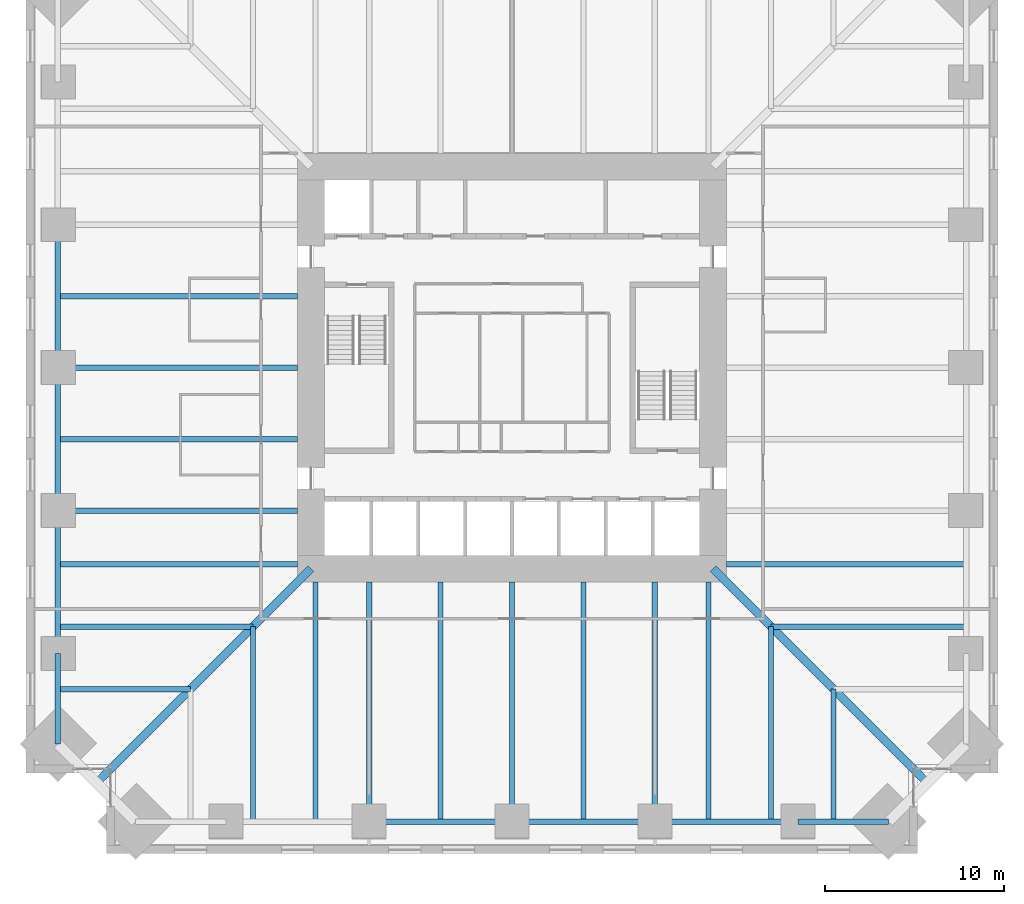
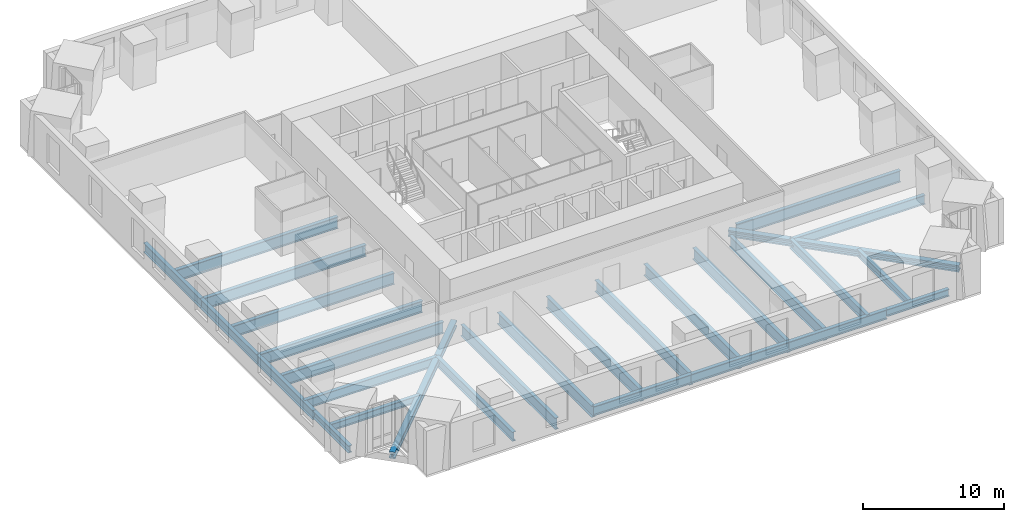
# One storey, part 3 of 16: 29 beams.
"""IFC4 building model written with IfcOpenShell, lengths in metres."""

from ifc_helpers import new_model, si_unit, direction, frame, origin, origin_2d, place, context, subcontext, project, spatial, i_section, extrude, material, material_profile, profile_set, type_object, element, save


model = new_model("IFC4")

# Units and contexts
model_context = context("Model", 3, precision=1e-05, world=origin(), true_north=direction((0.0, 1.0)))
body_context = subcontext(model_context, "Body", "Model", "MODEL_VIEW")
ifc_project = project(units=[si_unit("LENGTHUNIT", "METRE"), si_unit("AREAUNIT", "SQUARE_METRE"), si_unit("VOLUMEUNIT", "CUBIC_METRE"), si_unit("PLANEANGLEUNIT", "RADIAN"), si_unit("MASSUNIT", "GRAM", prefix="KILO")], contexts=[model_context])

# Site, building, storey
site_placement = place(None, origin())
site = spatial("IfcSite", under=ifc_project, at=site_placement, CompositionType="ELEMENT")
building_placement = place(site_placement, origin())
building = spatial("IfcBuilding", under=site, at=building_placement, Name="Peilmerk Tower", CompositionType="ELEMENT")
storey_placement = place(building_placement, frame((0.0, 0.0, 135.800048828125)))
storey = spatial("IfcBuildingStorey", under=building, at=storey_placement, Name="L27", CompositionType="ELEMENT", Elevation=135.800048828125)

# Beams
ifc_material_1 = material(Name="Steel S355", Category="steel")
ifc_material_profile_1 = material_profile(ifc_material_1, i_section(OverallWidth=0.302978515625, OverallDepth=0.81396484375, WebThickness=0.02099609375, FlangeThickness=0.0400390625, at=origin_2d()), Name="HEM 800")
ifc_profile_set_1 = profile_set([ifc_material_profile_1], Name="Steel S355")
beam_type_1 = type_object("IfcBeamType", Name="B15 HEM 800 edge beam", PredefinedType="SPANDREL", material=ifc_profile_set_1)
for number, where, z_axis, x_axis, name in (
    (1, (-8.0, -25.4208984375, -0.5771484375), (1.0, 0.0, 0.0), (0.0, 1.0, 0.0), "Edge beam L27"),
    (2, (0.0, -25.4208984375, -0.5771484375), (1.0, 0.0, 0.0), (0.0, 1.0, 0.0), "Edge beam L27"),
    (3, (8.0, -25.4208984375, -0.5771484375), (1.0, 0.0, 0.0), (0.0, 1.0, 0.0), "Edge beam L27"),
    (4, (-25.4208984375, 8.0, -0.5771484375), (0.0, -1.0, 0.0), (1.0, 0.0, 0.0), "Edge beam L27"),
    (5, (-25.4208984375, 0.0, -0.5771484375), (0.0, -1.0, 0.0), (1.0, 0.0, 0.0), "Edge beam L27"),
    (6, (-25.4208984375, -8.0, -0.5771484375), (0.0, -1.0, 0.0), (1.0, 0.0, 0.0), "Edge beam L27"),
):
    element("IfcBeam", number, at=place(storey_placement, frame(where, z_axis=z_axis, x_axis=x_axis)), inside=storey, type_object=beam_type_1, Name=name, PredefinedType="SPANDREL", context=body_context, shape_type="SweptSolid", body=[
        extrude(i_section(OverallWidth=0.302978515625, OverallDepth=0.81396484375, WebThickness=0.02099609375, FlangeThickness=0.0400390625, at=origin_2d()), origin(), (0.0, 0.0, 1.0), 8.0),
    ])
ifc_material_profile_2 = material_profile(ifc_material_1, i_section(OverallWidth=0.300048828125, OverallDepth=0.590087890625, WebThickness=0.012939453125, FlangeThickness=0.02490234375, at=origin_2d()), Name="HEA 600")
ifc_profile_set_2 = profile_set([ifc_material_profile_2], Name="Steel S355")
beam_type_2 = type_object("IfcBeamType", Name="B27 HEA 600 floor beam", PredefinedType="BEAM", material=ifc_profile_set_2)
for number, where, z_axis, x_axis, name in (
    (7, (18.0, -18.0, -0.465087890625), (0.0, -1.0, 0.0), (1.0, 0.0, 0.0), "Floor beam L27"),
    (8, (-18.0, -18.0, -0.465087890625), (-1.0, 0.0, 0.0), (0.0, -1.0, 0.0), "Floor beam L27"),
):
    element("IfcBeam", number, at=place(storey_placement, frame(where, z_axis=z_axis, x_axis=x_axis)), inside=storey, type_object=beam_type_2, Name=name, PredefinedType="BEAM", context=body_context, shape_type="SweptSolid", body=[
        extrude(i_section(OverallWidth=0.300048828125, OverallDepth=0.590087890625, WebThickness=0.012939453125, FlangeThickness=0.02490234375, at=origin_2d()), origin(), (0.0, 0.0, 1.0), 7.4208984375),
    ])
ifc_material_profile_3 = material_profile(ifc_material_1, i_section(OverallWidth=0.300048828125, OverallDepth=0.7900390625, WebThickness=0.014892578125, FlangeThickness=0.028076171875, at=origin_2d()), Name="HEA 800")
ifc_profile_set_3 = profile_set([ifc_material_profile_3], Name="Steel S355")
beam_type_3 = type_object("IfcBeamType", Name="B3 HEA 800 floor beam", PredefinedType="BEAM", material=ifc_profile_set_3)
for number, where, z_axis, x_axis, name in (
    (9, (14.5, -14.5, -0.56494140625), (0.0, -1.0, 0.0), (1.0, 0.0, 0.0), "Floor beam L27"),
    (10, (14.5, -14.5, -0.56494140625), (1.0, 0.0, 0.0), (0.0, 1.0, 0.0), "Floor beam L27"),
    (11, (-14.5, -14.5, -0.56494140625), (0.0, -1.0, 0.0), (1.0, 0.0, 0.0), "Floor beam L27"),
    (12, (-14.5, -14.5, -0.56494140625), (-1.0, 0.0, 0.0), (0.0, -1.0, 0.0), "Floor beam L27"),
):
    element("IfcBeam", number, at=place(storey_placement, frame(where, z_axis=z_axis, x_axis=x_axis)), inside=storey, type_object=beam_type_3, Name=name, PredefinedType="BEAM", context=body_context, shape_type="SweptSolid", body=[
        extrude(i_section(OverallWidth=0.300048828125, OverallDepth=0.7900390625, WebThickness=0.014892578125, FlangeThickness=0.028076171875, at=origin_2d()), origin(), (0.0, 0.0, 1.0), 10.9208984375),
    ])
ifc_material_profile_4 = material_profile(ifc_material_1, i_section(OverallWidth=0.304931640625, OverallDepth=0.6201171875, WebThickness=0.02099609375, FlangeThickness=0.0400390625, at=origin_2d()), Name="HEM 600")
ifc_profile_set_4 = profile_set([ifc_material_profile_4], Name="Steel S355")
beam_type_4 = type_object("IfcBeamType", Name="B31 HEM 600 edge beam", PredefinedType="SPANDREL", material=ifc_profile_set_4)
for number, where, z_axis, x_axis, name in (
    (13, (16.0, -25.4208984375, -0.47998046875), (1.0, 0.0, 0.0), (0.0, 1.0, 0.0), "Edge beam L27"),
    (14, (-25.4208984375, -16.0, -0.47998046875), (0.0, -1.0, 0.0), (1.0, 0.0, 0.0), "Edge beam L27"),
):
    element("IfcBeam", number, at=place(storey_placement, frame(where, z_axis=z_axis, x_axis=x_axis)), inside=storey, type_object=beam_type_4, Name=name, PredefinedType="SPANDREL", context=body_context, shape_type="SweptSolid", body=[
        extrude(i_section(OverallWidth=0.304931640625, OverallDepth=0.6201171875, WebThickness=0.02099609375, FlangeThickness=0.0400390625, at=origin_2d()), origin(), (0.0, 0.0, 1.0), 5.071044921875),
    ])
ifc_material_profile_5 = material_profile(ifc_material_1, i_section(OverallWidth=0.300048828125, OverallDepth=1.0, WebThickness=0.01904296875, FlangeThickness=0.035888671875, at=origin_2d()), Name="HEB 1000")
ifc_profile_set_5 = profile_set([ifc_material_profile_5], Name="Steel S355")
beam_type_5 = type_object("IfcBeamType", Name="B5 HEB 1000 floor girder", PredefinedType="BEAM", material=ifc_profile_set_5)
for number, where, z_axis, x_axis, name in (
    (15, (12.0, -11.0, -0.670166015625), (1.0, 0.0, 0.0), (0.0, 1.0, 0.0), "Floor beam L27"),
    (16, (-11.0, -12.0, -0.670166015625), (0.0, -1.0, 0.0), (1.0, 0.0, 0.0), "Floor beam L27"),
    (17, (-8.0, -12.0, -0.670166015625), (0.0, -1.0, 0.0), (1.0, 0.0, 0.0), "Floor beam L27"),
    (18, (-4.0, -12.0, -0.670166015625), (0.0, -1.0, 0.0), (1.0, 0.0, 0.0), "Floor beam L27"),
    (19, (0.0, -12.0, -0.670166015625), (0.0, -1.0, 0.0), (1.0, 0.0, 0.0), "Floor beam L27"),
    (20, (4.0, -12.0, -0.670166015625), (0.0, -1.0, 0.0), (1.0, 0.0, 0.0), "Floor beam L27"),
    (21, (8.0, -12.0, -0.670166015625), (0.0, -1.0, 0.0), (1.0, 0.0, 0.0), "Floor beam L27"),
    (22, (11.0, -12.0, -0.670166015625), (0.0, -1.0, 0.0), (1.0, 0.0, 0.0), "Floor beam L27"),
    (23, (-12.0, 4.0, -0.670166015625), (-1.0, 0.0, 0.0), (0.0, -1.0, 0.0), "Floor beam L27"),
    (24, (-12.0, 0.0, -0.670166015625), (-1.0, 0.0, 0.0), (0.0, -1.0, 0.0), "Floor beam L27"),
    (25, (-12.0, -4.0, -0.670166015625), (-1.0, 0.0, 0.0), (0.0, -1.0, 0.0), "Floor beam L27"),
    (26, (-12.0, -8.0, -0.670166015625), (-1.0, 0.0, 0.0), (0.0, -1.0, 0.0), "Floor beam L27"),
    (27, (-12.0, -11.0, -0.670166015625), (-1.0, 0.0, 0.0), (0.0, -1.0, 0.0), "Floor beam L27"),
):
    element("IfcBeam", number, at=place(storey_placement, frame(where, z_axis=z_axis, x_axis=x_axis)), inside=storey, type_object=beam_type_5, Name=name, PredefinedType="BEAM", context=body_context, shape_type="SweptSolid", body=[
        extrude(i_section(OverallWidth=0.300048828125, OverallDepth=1.0, WebThickness=0.01904296875, FlangeThickness=0.035888671875, at=origin_2d()), origin(), (0.0, 0.0, 1.0), 13.4208984375),
    ])
ifc_material_2 = material(Name="Steel S460", Category="steel")
ifc_material_profile_6 = material_profile(ifc_material_2, i_section(OverallWidth=0.4541015625, OverallDepth=0.569091796875, WebThickness=0.077880859375, FlangeThickness=0.125, at=origin_2d()), Name="HD 400x1086")
ifc_profile_set_6 = profile_set([ifc_material_profile_6], Name="Steel S460")
beam_type_6 = type_object("IfcBeamType", Name="B9 HD 400x1086 corner girder", PredefinedType="BEAM", material=ifc_profile_set_6)
for number, where, z_axis, x_axis, name in (
    (28, (11.25, -11.25, -0.45458984375), (0.707106781187, -0.707106781187, 0.0), (0.707106781187, 0.707106781187, 0.0), "Corner girder L27"),
    (29, (-11.25, -11.25, -0.45458984375), (-0.707106781187, -0.707106781187, 0.0), (0.707106781187, -0.707106781187, 0.0), "Corner girder L27"),
):
    element("IfcBeam", number, at=place(storey_placement, frame(where, z_axis=z_axis, x_axis=x_axis)), inside=storey, type_object=beam_type_6, Name=name, PredefinedType="BEAM", context=body_context, shape_type="SweptSolid", body=[
        extrude(i_section(OverallWidth=0.4541015625, OverallDepth=0.569091796875, WebThickness=0.077880859375, FlangeThickness=0.125, at=origin_2d()), origin(), (0.0, 0.0, 1.0), 16.964599609375),
    ])

save(model, "model.ifc")
